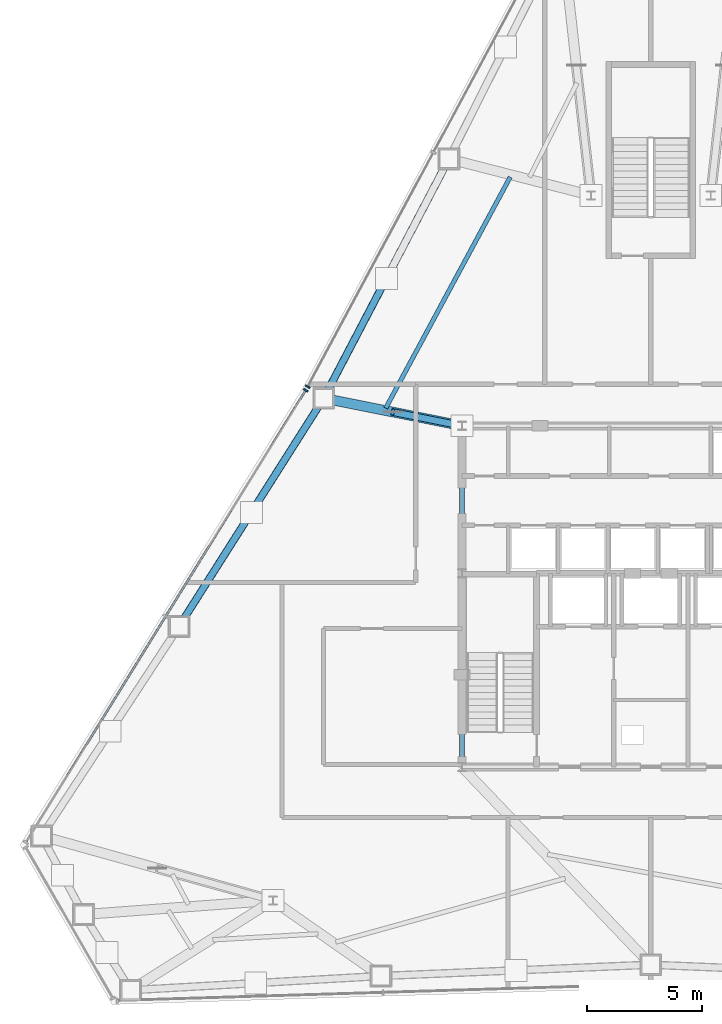
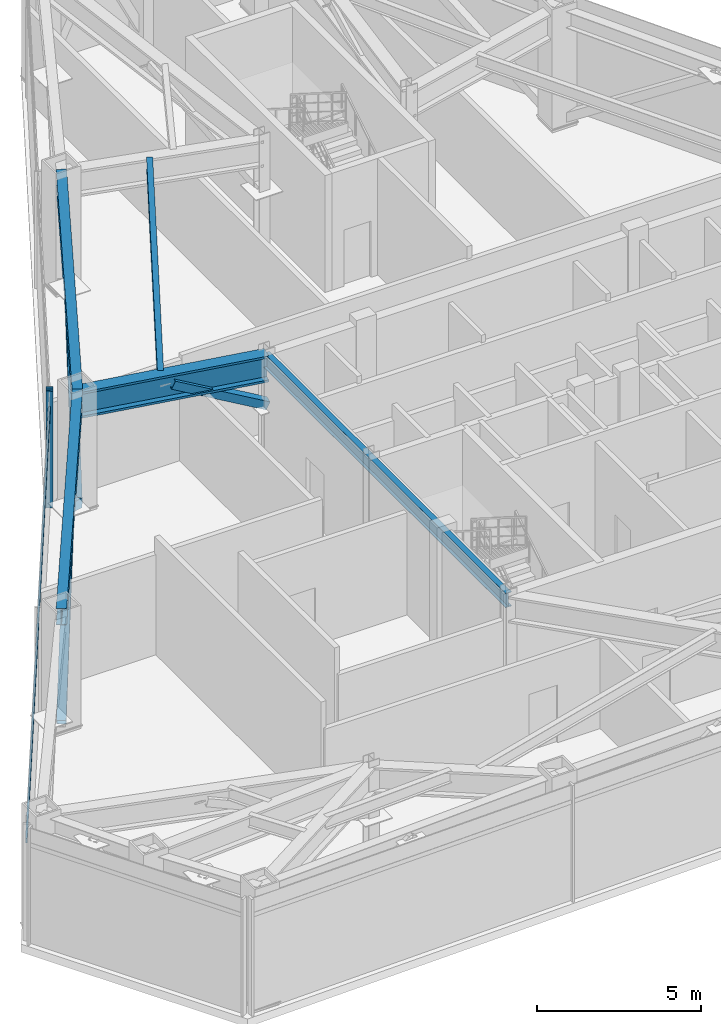
# One storey, part 4 of 12: 7 members, 5 beams, 2 elements without a shape of their own.
"""IFC4 building model written with IfcOpenShell, lengths in metres."""

from ifc_helpers import new_model, si_unit, direction, frame, origin, origin_2d, place, context, subcontext, project, spatial, rectangle, hollow_rectangle, i_section, extrude, source, transform, mapped, material, layer, layer_set, material_profile, profile_set, type_object, type_shapes, element, aggregate, save


model = new_model("IFC4")

# Units and contexts
model_context = context("Model", 3, precision=1e-05, world=origin(), true_north=direction((0.0, 1.0)))
body_context = subcontext(model_context, "Body", "Model", "MODEL_VIEW")
ifc_project = project(units=[si_unit("LENGTHUNIT", "METRE"), si_unit("AREAUNIT", "SQUARE_METRE"), si_unit("VOLUMEUNIT", "CUBIC_METRE"), si_unit("PLANEANGLEUNIT", "RADIAN"), si_unit("MASSUNIT", "GRAM", prefix="KILO")], contexts=[model_context])

# Site, building, storey
site_placement = place(None, origin())
site = spatial("IfcSite", under=ifc_project, at=site_placement, CompositionType="ELEMENT")
building_placement = place(site_placement, origin())
building = spatial("IfcBuilding", under=site, at=building_placement, Name="Varakhsha Concourse Tower", CompositionType="ELEMENT")
storey_placement = place(building_placement, frame((0.0, 0.0, 157.39990234375)))
storey = spatial("IfcBuildingStorey", under=building, at=storey_placement, Name="L45", CompositionType="ELEMENT", Elevation=157.39990234375)

# Beams
ifc_material_1 = material(Name="Structural Steel ASTM A992 Grade 50", Category="steel")
ifc_material_profile_1 = material_profile(ifc_material_1, i_section(OverallWidth=0.19091796875, OverallDepth=0.45703125, WebThickness=0.009033203125, FlangeThickness=0.013916015625, at=origin_2d()), Name="W18X50")
ifc_profile_set_1 = profile_set([ifc_material_profile_1], Name="Structural Steel ASTM A992 Grade 50")
beam_type_1 = type_object("IfcBeamType", Name="BM-JST-W18X50", PredefinedType="JOIST", material=ifc_profile_set_1)
beam_1_placement = place(storey_placement, frame((33.898681640625, 41.989501953125, 4.131591796875), z_axis=(-0.474404086138, -0.880307198117, 0.0), x_axis=(0.880307198117, -0.474404086138, 0.0)))
element("IfcBeam", 1, at=beam_1_placement, inside=storey, type_object=beam_type_1, Name="BM-TJST-L45-04", PredefinedType="JOIST", context=body_context, shape_type="SweptSolid", body=[
    extrude(i_section(OverallWidth=0.19091796875, OverallDepth=0.45703125, WebThickness=0.009033203125, FlangeThickness=0.013916015625, at=origin_2d()), origin(), (0.0, 0.0, 1.0), 11.38720703125),
])
ifc_material_profile_2 = material_profile(ifc_material_1, i_section(OverallWidth=0.2109375, OverallDepth=0.5390625, WebThickness=0.011962890625, FlangeThickness=0.01904296875, at=origin_2d()), Name="W21X73")
ifc_profile_set_2 = profile_set([ifc_material_profile_2], Name="Structural Steel ASTM A992 Grade 50")
beam_type_2 = type_object("IfcBeamType", Name="BM-RAD-W21X73", PredefinedType="BEAM", material=ifc_profile_set_2)
beam_2_placement = place(storey_placement, frame((31.800048828125, 16.39990234375, 4.090576171875), z_axis=(0.0, 1.0, 0.0), x_axis=(-1.0, 0.0, 0.0)))
element("IfcBeam", 2, at=beam_2_placement, inside=storey, type_object=beam_type_2, Name="BM-TCORE-L45-CW", PredefinedType="BEAM", context=body_context, shape_type="SweptSolid", body=[
    extrude(i_section(OverallWidth=0.2109375, OverallDepth=0.5390625, WebThickness=0.011962890625, FlangeThickness=0.01904296875, at=origin_2d()), origin(), (0.0, 0.0, 1.0), 14.800048828125),
])
ifc_material_profile_3 = material_profile(ifc_material_1, i_section(OverallWidth=0.323974609375, OverallDepth=0.611083984375, WebThickness=0.012939453125, FlangeThickness=0.01904296875, at=origin_2d()), Name="W24X104")
ifc_profile_set_3 = profile_set([ifc_material_profile_3], Name="Structural Steel ASTM A992 Grade 50")
beam_type_3 = type_object("IfcBeamType", Name="BM-SPAN-W24X104", PredefinedType="SPANDREL", material=ifc_profile_set_3)
beam_3_placement = place(storey_placement, frame((31.240966796875, 42.78271484375, 4.0546875), z_axis=(-0.463424073091, -0.886136630819, 0.0), x_axis=(0.886136630819, -0.463424073091, 0.0)))
element("IfcBeam", 3, at=beam_3_placement, inside=storey, type_object=beam_type_3, Name="BM-SPAN-L45-04", PredefinedType="SPANDREL", context=body_context, shape_type="SweptSolid", body=[
    extrude(i_section(OverallWidth=0.323974609375, OverallDepth=0.611083984375, WebThickness=0.012939453125, FlangeThickness=0.01904296875, at=origin_2d()), origin(), (0.0, 0.0, 1.0), 11.723876953125),
])
beam_4_placement = place(storey_placement, frame((25.807861328125, 32.393798828125, 4.0546875), z_axis=(-0.535714805069, -0.844398986043, 0.0), x_axis=(0.844398986043, -0.535714805069, 0.0)))
element("IfcBeam", 4, at=beam_4_placement, inside=storey, type_object=beam_type_3, Name="BM-SPAN-L45-05", PredefinedType="SPANDREL", context=body_context, shape_type="SweptSolid", body=[
    extrude(i_section(OverallWidth=0.323974609375, OverallDepth=0.611083984375, WebThickness=0.012939453125, FlangeThickness=0.01904296875, at=origin_2d()), origin(), (0.0, 0.0, 1.0), 11.7236328125),
])
ifc_material_profile_4 = material_profile(ifc_material_1, i_section(OverallWidth=0.427978515625, OverallDepth=0.97509765625, WebThickness=0.050048828125, FlangeThickness=0.0810546875, at=origin_2d()), Name="W36X395")
ifc_profile_set_4 = profile_set([ifc_material_profile_4], Name="Structural Steel ASTM A992 Grade 50")
beam_type_4 = type_object("IfcBeamType", Name="BM-XFER-W36X395", PredefinedType="USERDEFINED", material=ifc_profile_set_4)
beam_5_placement = place(storey_placement, frame((31.800048828125, 31.199951171875, 3.87255859375), z_axis=(-0.980724872564, 0.195393767391, 0.0), x_axis=(-0.195393767391, -0.980724872564, 0.0)))
element("IfcBeam", 5, at=beam_5_placement, inside=storey, type_object=beam_type_4, Name="L45 Outrigger Top Chord 05", ObjectType="GIRDER", PredefinedType="USERDEFINED", context=body_context, shape_type="SweptSolid", body=[
    extrude(i_section(OverallWidth=0.427978515625, OverallDepth=0.97509765625, WebThickness=0.050048828125, FlangeThickness=0.0810546875, at=origin_2d()), origin(), (0.0, 0.0, 1.0), 6.10986328125),
])

# Members
ifc_material_2 = material(Name="Structural Steel ASTM A500 Grade C", Category="steel")
ifc_material_profile_5 = material_profile(ifc_material_2, hollow_rectangle(XDim=0.300048828125, YDim=0.300048828125, WallThickness=0.013916015625, at=origin_2d()), Name="HSS 300x300x14")
ifc_profile_set_5 = profile_set([ifc_material_profile_5], Name="Structural Steel ASTM A500 Grade C")
member_type_1 = type_object("IfcMemberType", Name="MB-BELT-HSS300", PredefinedType="BRACE", material=ifc_profile_set_5)
shared_shape_1 = source(origin(), body_context, "Body", "SweptSolid", [
    extrude(hollow_rectangle(XDim=0.300048828125, YDim=0.300048828125, WallThickness=0.013916015625, at=origin_2d()), origin(), (0.0, 0.0, 1.0), 7.06298828125),
])
member_1_placement = place(storey_placement, frame((25.807861328125, 32.393798828125, 0.1201171875), z_axis=(-0.44462974102, -0.700802563121, 0.557835245322), x_axis=(0.844389565828, -0.535729653016, 0.0)))
element("IfcMember", 6, at=member_1_placement, inside=storey, type_object=member_type_1, Name="L45 Belt Truss Chevron 05A", PredefinedType="BRACE", context=body_context, shape_type="MappedRepresentation", body=[
    mapped(shared_shape_1, transform((0.0, 0.0, 0.0), scale=1.0)),
])
shared_shape_2 = source(origin(), body_context, "Body", "SweptSolid", [
    extrude(hollow_rectangle(XDim=0.300048828125, YDim=0.300048828125, WallThickness=0.013916015625, at=origin_2d()), origin(), (0.0, 0.0, 1.0), 7.062744140625),
])
type_shapes(member_type_1, [shared_shape_1, shared_shape_2])
for number, where, z_axis, x_axis, name in (
    (7, (25.807861328125, 32.393798828125, 0.1201171875), (0.38462529339, 0.735444211572, 0.557839757771), (-0.886132158429, 0.463432624875, 0.0), "L45 Belt Truss Chevron 04B"),
    (8, (19.52734375, 22.494384765625, 0.1201171875), (0.444602007472, 0.700813333812, 0.557843818736), (-0.844408406206, 0.535699956625, 0.0), "L45 Belt Truss Chevron 05B"),
):
    element("IfcMember", number, at=place(storey_placement, frame(where, z_axis=z_axis, x_axis=x_axis)), inside=storey, type_object=member_type_1, Name=name, PredefinedType="BRACE", context=body_context, shape_type="MappedRepresentation", body=[
        mapped(shared_shape_2, transform((0.0, 0.0, 0.0), scale=1.0)),
    ])
ifc_material_profile_6 = material_profile(ifc_material_2, hollow_rectangle(XDim=0.300048828125, YDim=0.300048828125, WallThickness=0.013916015625, at=origin_2d()), Name="HSS 300x300x14")
ifc_profile_set_6 = profile_set([ifc_material_profile_6], Name="Structural Steel ASTM A500 Grade C")
member_type_2 = type_object("IfcMemberType", Name="MB-OUTR-HSS300", PredefinedType="STRUT", material=ifc_profile_set_6)
shared_shape_3 = source(origin(), body_context, "Body", "SweptSolid", [
    extrude(hollow_rectangle(XDim=0.300048828125, YDim=0.300048828125, WallThickness=0.013916015625, at=origin_2d()), origin(), (0.0, 0.0, 1.0), 3.385986328125),
])
type_shapes(member_type_2, [shared_shape_3])
member_2_placement = place(storey_placement, frame((31.800048828125, 31.199951171875, 2.4501953125), z_axis=(-0.884871238095, 0.176296461632, 0.431187255851), x_axis=(-0.195393767391, -0.980724872564, 0.0)))
element("IfcMember", 9, at=member_2_placement, inside=storey, type_object=member_type_2, Name="L45 Outrigger Truss Strut 03", PredefinedType="STRUT", context=body_context, shape_type="MappedRepresentation", body=[
    mapped(shared_shape_3, transform((0.0, 0.0, 0.0), scale=1.0)),
])

# Curtain wall, member
ifc_material_3 = material(Name="Anodised Bronze Architectural Aluminium AA 6063-T6", Category="aluminium")
ifc_layer = layer(ifc_material_3, 0.260009765625, Name="CW-SYS-06")
ifc_layer_set = layer_set([ifc_layer], Name="Anodised Bronze Architectural Aluminium AA 6063-T6")
curtain_wall_type = type_object("IfcCurtainWallType", Name="CW-SYS-06", PredefinedType="NOTDEFINED", material=ifc_layer_set)
curtain_wall_1_placement = place(storey_placement, origin())
curtain_wall_1 = element("IfcCurtainWall", 10, at=curtain_wall_1_placement, inside=storey, type_object=curtain_wall_type, Name="L45 Crystal Curtain Wall F2", PredefinedType="NOTDEFINED")
ifc_material_profile_7 = material_profile(ifc_material_3, rectangle(XDim=0.074951171875, YDim=0.219970703125, at=origin_2d()), Name="CWM-220X75")
ifc_profile_set_7 = profile_set([ifc_material_profile_7], Name="Anodised Bronze Architectural Aluminium AA 6063-T6")
member_type_3 = type_object("IfcMemberType", Name="CWM-220X75", PredefinedType="MULLION", material=ifc_profile_set_7)
shared_shape_4 = source(origin(), body_context, "Body", "SweptSolid", [
    extrude(rectangle(XDim=0.074951171875, YDim=0.219970703125, at=origin_2d()), origin(), (0.0, 0.0, 1.0), 4.360107421875),
])
type_shapes(member_type_3, [shared_shape_4])
member_3_placement = place(storey_placement, frame((25.110107421875, 32.89453125, 0.0), z_axis=(0.0, 0.0, 1.0), x_axis=(0.473335041556, 0.880882477085, 0.0)))
member_3 = element("IfcMember", 11, at=member_3_placement, type_object=member_type_3, Name="CW-L45-F2 Mullion 00", PredefinedType="MULLION", context=body_context, shape_type="MappedRepresentation", body=[
    mapped(shared_shape_4, transform((0.0, 0.0, 0.0), scale=1.0)),
])
aggregate(curtain_wall_1, [member_3])

# Curtain wall, members
curtain_wall_2_placement = place(storey_placement, origin())
curtain_wall_2 = element("IfcCurtainWall", 12, at=curtain_wall_2_placement, inside=storey, type_object=curtain_wall_type, Name="L45 Crystal Curtain Wall F3", PredefinedType="NOTDEFINED")
member_4_placement = place(storey_placement, frame((25.025390625, 32.74755859375, 0.0), z_axis=(0.0, 0.0, 1.0), x_axis=(0.526199082126, 0.850361409032, 0.0)))
member_4 = element("IfcMember", 13, at=member_4_placement, type_object=member_type_3, Name="CW-L45-F3 Mullion 02", PredefinedType="MULLION", context=body_context, shape_type="MappedRepresentation", body=[
    mapped(shared_shape_4, transform((0.0, 0.0, 0.0), scale=1.0)),
])
ifc_material_profile_8 = material_profile(ifc_material_3, rectangle(XDim=0.06494140625, YDim=0.159912109375, at=origin_2d()), Name="CWT-160X65")
ifc_profile_set_8 = profile_set([ifc_material_profile_8], Name="Anodised Bronze Architectural Aluminium AA 6063-T6")
member_type_4 = type_object("IfcMemberType", Name="CWT-160X65", PredefinedType="USERDEFINED", material=ifc_profile_set_8)
shared_shape_5 = source(origin(), body_context, "Body", "SweptSolid", [
    extrude(rectangle(XDim=0.06494140625, YDim=0.159912109375, at=origin_2d()), origin(), (0.0, 0.0, 1.0), 23.083984375),
])
type_shapes(member_type_4, [shared_shape_5])
member_5_placement = place(storey_placement, frame((12.878662109375, 13.117919921875, 3.710205078125), z_axis=(0.52619949928, 0.850361150898, 0.0), x_axis=(-0.850361150898, 0.52619949928, 0.0)))
member_5 = element("IfcMember", 14, at=member_5_placement, type_object=member_type_4, Name="CW-L45-F3 Transom 01", ObjectType="TRANSOM", PredefinedType="USERDEFINED", context=body_context, shape_type="MappedRepresentation", body=[
    mapped(shared_shape_5, transform((0.0, 0.0, 0.0), scale=1.0)),
])
aggregate(curtain_wall_2, [member_4, member_5])

save(model, "model.ifc")
